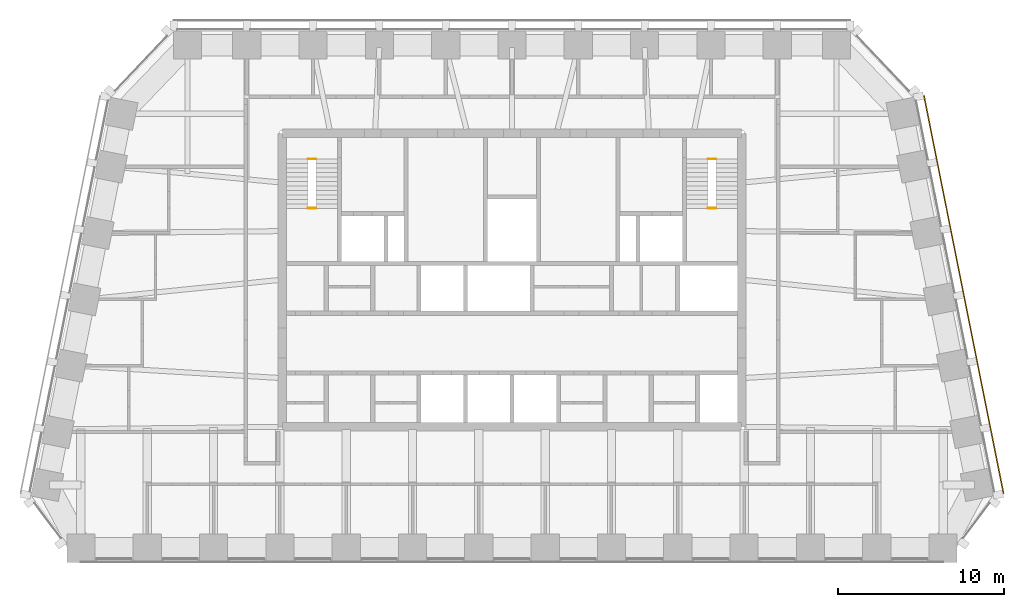
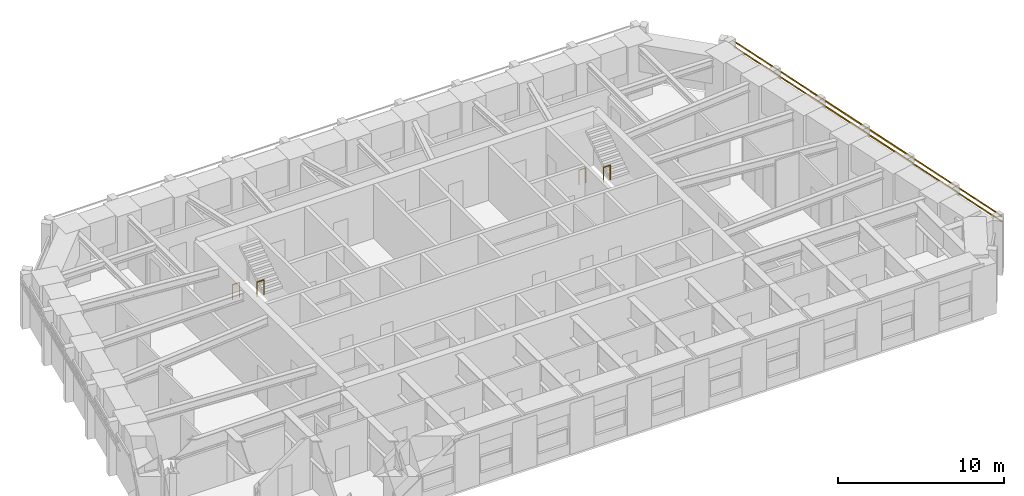
# One storey, part 11 of 12: 4 railings, 2 shading devices.
"""IFC4 building model written with IfcOpenShell, lengths in metres."""

import ifcopenshell
import ifcopenshell.guid

model = None  # the IFC model being written
_history = None  # IfcOwnerHistory: only IFC2X3 demands one
_inside = {}  # id of a spatial element -> (the spatial element, [elements in it])
_under = {}  # id of a project, library or spatial element -> (it, [spatial elements below it])
_declared = {}  # id of a project -> (the project, [libraries it declares])
_typed = {}  # id of a type object -> (the type object, [elements of that type])
_made_of = {}  # id of a material, layer set ... -> (it, [elements and type objects made of it])


def new_model(schema):
    """Start an empty IFC model of exactly this schema.

    Asked for "IFC4X3", IfcOpenShell would pick the latest addendum, in which some entities
    have other attributes; the version numbers below select the first issue.
    IFC2X3 requires an IfcOwnerHistory on every rooted entity: one is made here for all.
    """
    global model, _history
    if schema == "IFC4X3":
        model = ifcopenshell.file(schema_version=(4, 3, 0, 0))
    else:
        model = ifcopenshell.file(schema=schema)
    _inside.clear()
    _under.clear()
    _declared.clear()
    _typed.clear()
    _made_of.clear()
    _history = None
    if model.schema == "IFC2X3":
        org = make("IfcOrganization", Name="unknown")
        user = make(
            "IfcPersonAndOrganization",
            ThePerson=make("IfcPerson", FamilyName="unknown"),
            TheOrganization=org,
        )
        app = make(
            "IfcApplication",
            ApplicationDeveloper=org,
            Version="unknown",
            ApplicationFullName="unknown",
            ApplicationIdentifier="unknown",
        )
        _history = make(
            "IfcOwnerHistory",
            OwningUser=user,
            OwningApplication=app,
            ChangeAction="ADDED",
            CreationDate=0,
        )
    return model


def make(cls, **values):
    """One entity of the class cls with the attributes given. An attribute that is None is left unset."""
    return model.create_entity(
        cls, **{name: value for name, value in values.items() if value is not None}
    )


def rooted(cls, **values):
    """An entity with a GlobalId (a new one), such as an element, a storey or a relation."""
    return make(cls, GlobalId=ifcopenshell.guid.new(), OwnerHistory=_history, **values)


def si_unit(unit_type, name, prefix=None):
    """IfcSIUnit, for example si_unit("LENGTHUNIT", "METRE", prefix="MILLI")."""
    return make("IfcSIUnit", UnitType=unit_type, Prefix=prefix, Name=name)


def assignment(units):
    """IfcUnitAssignment: the units of a project."""
    return None if units is None else make("IfcUnitAssignment", Units=units)


def point(xyz):
    """IfcCartesianPoint."""
    return None if xyz is None else make("IfcCartesianPoint", Coordinates=xyz)


def direction(xyz):
    """IfcDirection."""
    return None if xyz is None else make("IfcDirection", DirectionRatios=xyz)


def frame(location, z_axis=None, x_axis=None):
    """IfcAxis2Placement3D, a coordinate frame: its origin and axes. An axis left out is left unset."""
    return make(
        "IfcAxis2Placement3D",
        Location=point(location),
        Axis=direction(z_axis),
        RefDirection=direction(x_axis),
    )


def frame_2d(location, x_axis=None):
    """IfcAxis2Placement2D, a coordinate frame in the plane: its origin and x axis."""
    return make(
        "IfcAxis2Placement2D", Location=point(location), RefDirection=direction(x_axis)
    )


def origin():
    """The frame at (0, 0, 0) with its axes left unset."""
    return frame((0.0, 0.0, 0.0))


def origin_2d():
    """The frame at (0, 0) in the plane with its x axis left unset."""
    return frame_2d((0.0, 0.0))


def place(relative_to, where):
    """IfcLocalPlacement: puts the frame where relative to a parent placement (None: the world)."""
    return make(
        "IfcLocalPlacement", PlacementRelTo=relative_to, RelativePlacement=where
    )


def context(
    kind, dimensions, precision=None, world=None, true_north=None, identifier=None
):
    """IfcGeometricRepresentationContext, for example the 3D "Model" context."""
    return make(
        "IfcGeometricRepresentationContext",
        ContextIdentifier=identifier,
        ContextType=kind,
        CoordinateSpaceDimension=dimensions,
        Precision=precision,
        WorldCoordinateSystem=world,
        TrueNorth=true_north,
    )


def subcontext(parent, identifier, kind, view, scale=None):
    """IfcGeometricRepresentationSubContext, for example "Body" below "Model"."""
    return make(
        "IfcGeometricRepresentationSubContext",
        ContextIdentifier=identifier,
        ContextType=kind,
        ParentContext=parent,
        TargetScale=scale,
        TargetView=view,
    )


def project(units=None, contexts=None):
    """IfcProject with its units and contexts."""
    return rooted(
        "IfcProject",
        Name="project",
        RepresentationContexts=contexts,
        UnitsInContext=assignment(units),
    )


def spatial(cls, under=None, at=None, **own):
    """A site, building, storey or space (cls), placed at a placement, below another one or the project."""
    s = rooted(cls, ObjectPlacement=at, **own)
    if under is not None:
        _under.setdefault(under.id(), (under, []))[1].append(s)
    return s


def profile(cls, at=None, kind="AREA", **sizes):
    """A parametric profile (cls). Its sizes go by their IFC names, for example OverallWidth=200.0."""
    return make(cls, ProfileType=kind, Position=at, **sizes)


def rectangle(**sizes):
    """IfcRectangleProfileDef."""
    return profile("IfcRectangleProfileDef", **sizes)


def circle(**sizes):
    """IfcCircleProfileDef."""
    return profile("IfcCircleProfileDef", **sizes)


def extrude(swept, where, along, depth):
    """IfcExtrudedAreaSolid: the profile swept, set in the frame where, extruded along a direction by depth."""
    return make(
        "IfcExtrudedAreaSolid",
        SweptArea=swept,
        Position=where,
        ExtrudedDirection=direction(along),
        Depth=depth,
    )


def shape(context_of_items, identifier, shape_type, items):
    """IfcShapeRepresentation: the items that make up one representation, for example the "Body"."""
    return make(
        "IfcShapeRepresentation",
        ContextOfItems=context_of_items,
        RepresentationIdentifier=identifier,
        RepresentationType=shape_type,
        Items=items,
    )


def material(Name=None, Category=None):
    """IfcMaterial."""
    return make("IfcMaterial", Name=Name, Category=Category)


def material_profile(
    of_material, cross_section, Name=None, Category=None, Priority=None
):
    """IfcMaterialProfile: a cross section and its material."""
    return make(
        "IfcMaterialProfile",
        Name=Name,
        Material=of_material,
        Profile=cross_section,
        Priority=Priority,
        Category=Category,
    )


def profile_set(profiles, Name=None, composite=None):
    """IfcMaterialProfileSet."""
    return make(
        "IfcMaterialProfileSet",
        Name=Name,
        MaterialProfiles=profiles,
        CompositeProfile=composite,
    )


def made_of(thing, what):
    """Note that an element or type object is made of a material, layer set ...; save() writes the relation."""
    if what is not None:
        _made_of.setdefault(what.id(), (what, []))[1].append(thing)
    return thing


def type_object(cls, material=None, **own):
    """A type object (cls), such as IfcWallType, which elements share."""
    return made_of(rooted(cls, **own), material)


def element(
    cls,
    number,
    at=None,
    inside=None,
    cuts=None,
    type_object=None,
    material=None,
    context=None,
    identifier="Body",
    shape_type=None,
    held_by="IfcProductDefinitionShape",
    body=None,
    shapes=None,
    **own,
):
    """One element of the class cls, such as IfcWall. Its Tag is "e" and its number.

    at: its placement. inside: the storey or other place that contains it. cuts: it is an
    opening in that element (IfcRelVoidsElement). A single representation is given by context,
    identifier, shape_type and body (its items); several are given by shapes. held_by: the class
    of the entity that holds the representations. save() writes the other relations.
    """
    e = rooted(cls, Tag="e%d" % number, ObjectPlacement=at, **own)
    if body is not None:
        shapes = [shape(context, identifier, shape_type, body)]
    if shapes is not None:
        e.Representation = make(held_by, Representations=shapes)
    if inside is not None:
        _inside.setdefault(inside.id(), (inside, []))[1].append(e)
    if cuts is not None:
        rooted(
            "IfcRelVoidsElement", RelatingBuildingElement=cuts, RelatedOpeningElement=e
        )
    if type_object is not None:
        _typed.setdefault(type_object.id(), (type_object, []))[1].append(e)
    return made_of(e, material)


def aggregate(whole, parts):
    """IfcRelAggregates: a whole, such as a stair, and the parts it consists of."""
    return rooted("IfcRelAggregates", RelatingObject=whole, RelatedObjects=parts)


def save(model, path):
    """Write the relations noted so far, then the file.

    IfcRelAggregates (storeys below a building ...), IfcRelContainedInSpatialStructure (elements
    in a storey), IfcRelDefinesByType, IfcRelAssociatesMaterial and IfcRelDeclares: one each for
    every whole, place, type object, material and project.
    """
    for whole, parts in _under.values():
        aggregate(whole, parts)
    for where, things in _inside.values():
        rooted(
            "IfcRelContainedInSpatialStructure",
            RelatedElements=things,
            RelatingStructure=where,
        )
    for kind, things in _typed.values():
        rooted("IfcRelDefinesByType", RelatedObjects=things, RelatingType=kind)
    for what, things in _made_of.values():
        rooted("IfcRelAssociatesMaterial", RelatedObjects=things, RelatingMaterial=what)
    for by, libraries in _declared.values():
        rooted("IfcRelDeclares", RelatingContext=by, RelatedDefinitions=libraries)
    model.write(path)


model = new_model("IFC4")

# Units and contexts
model_context = context("Model", 3, precision=1e-05, world=origin(), true_north=direction((0.0, 1.0)))
body_context = subcontext(model_context, "Body", "Model", "MODEL_VIEW")
ifc_project = project(units=[si_unit("LENGTHUNIT", "METRE"), si_unit("AREAUNIT", "SQUARE_METRE"), si_unit("VOLUMEUNIT", "CUBIC_METRE"), si_unit("PLANEANGLEUNIT", "RADIAN"), si_unit("MASSUNIT", "GRAM", prefix="KILO")], contexts=[model_context])

# Site, building, storey
site_placement = place(None, origin())
site = spatial("IfcSite", under=ifc_project, at=site_placement, CompositionType="ELEMENT")
building_placement = place(site_placement, origin())
building = spatial("IfcBuilding", under=site, at=building_placement, Name="Isbrekke Arena Tower", CompositionType="ELEMENT")
storey_placement = place(building_placement, frame((0.0, 0.0, 304.0)))
storey = spatial("IfcBuildingStorey", under=building, at=storey_placement, Name="L71", CompositionType="ELEMENT", Elevation=304.0)

# Shading devices
ifc_material_1 = material(Name="Terracotta", Category="masonry")
ifc_material_profile = material_profile(ifc_material_1, rectangle(XDim=0.06005859375, YDim=0.06005859375, at=origin_2d()), Name="BAGUETTE 60X60")
ifc_profile_set = profile_set([ifc_material_profile], Name="Terracotta")
shading_device_type = type_object("IfcShadingDeviceType", Name="BG1 TERRACOTTA BAGUETTE 60 x 60", PredefinedType="USERDEFINED", material=ifc_profile_set)
for number, where, z_axis, x_axis, name in (
    (1, (29.642333984375, 2.12841796875, 3.280029296875), (-0.196118053403, 0.980580292036, 0.0), (-0.980580292036, -0.196118053403, 0.0), "BG1 terracotta baguette E1 L71"),
    (2, (29.642333984375, 2.12841796875, 3.679931640625), (-0.196118053403, 0.980580292036, 0.0), (-0.980580292036, -0.196118053403, 0.0), "BG1 terracotta baguette E2 L71"),
):
    element("IfcShadingDevice", number, at=place(storey_placement, frame(where, z_axis=z_axis, x_axis=x_axis)), inside=storey, type_object=shading_device_type, Name=name, ObjectType="TERRACOTTA BAGUETTE", PredefinedType="USERDEFINED", context=body_context, shape_type="SweptSolid", body=[
        extrude(rectangle(XDim=0.06005859375, YDim=0.06005859375, at=origin_2d()), origin(), (0.0, 0.0, 1.0), 24.475341796875),
    ])

# Railings
ifc_material_2 = material(Name="Steel stair guard, vertical bars, steel handrail", Category="steel")
railing_type = type_object("IfcRailingType", Name="GR3 STAIR WELL GUARD 1100", PredefinedType="GUARDRAIL", material=ifc_material_2)
for number, where, name in (
    (3, (-12.300048828125, 22.300048828125, 0.0), "GR3 stair well guard ST1 L71"),
    (4, (-12.300048828125, 19.330078125, 2.0), "GR3 stair well guard ST1 L71"),
    (5, (11.824951171875, 22.300048828125, 0.0), "GR3 stair well guard ST2 L71"),
    (6, (11.824951171875, 19.330078125, 2.0), "GR3 stair well guard ST2 L71"),
):
    element("IfcRailing", number, at=place(storey_placement, frame(where)), inside=storey, type_object=railing_type, Name=name, PredefinedType="GUARDRAIL", context=body_context, shape_type="SweptSolid", body=[
        extrude(circle(Radius=0.02392578125, at=origin_2d()), frame((0.0, 0.0, 1.076171875), z_axis=(1.0, 0.0, 0.0), x_axis=(0.0, 1.0, 0.0)), (0.0, 0.0, 1.0), 0.47509765625),
        extrude(circle(Radius=0.02099609375, at=origin_2d()), origin(), (0.0, 0.0, 1.0), 1.052001953125),
        extrude(circle(Radius=0.02099609375, at=origin_2d()), frame((0.47509765625, 0.0, 0.0)), (0.0, 0.0, 1.0), 1.052001953125),
    ])

save(model, "model.ifc")
